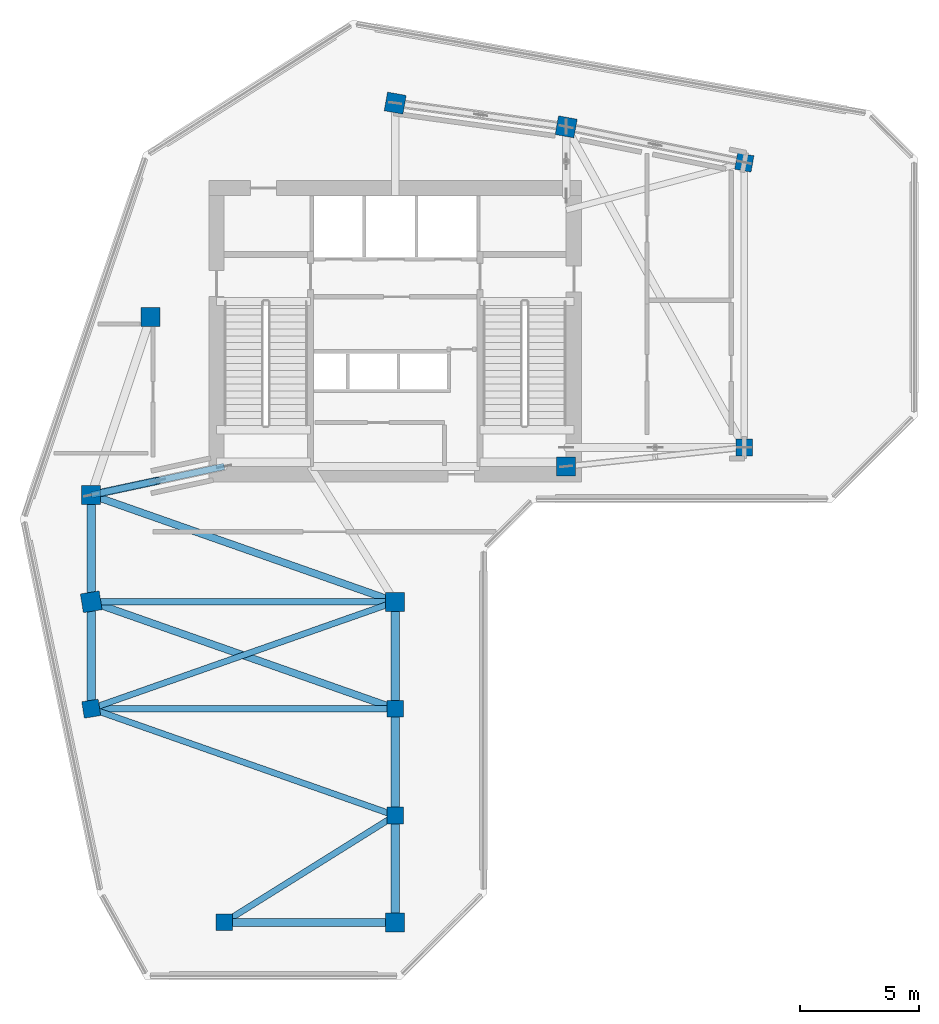
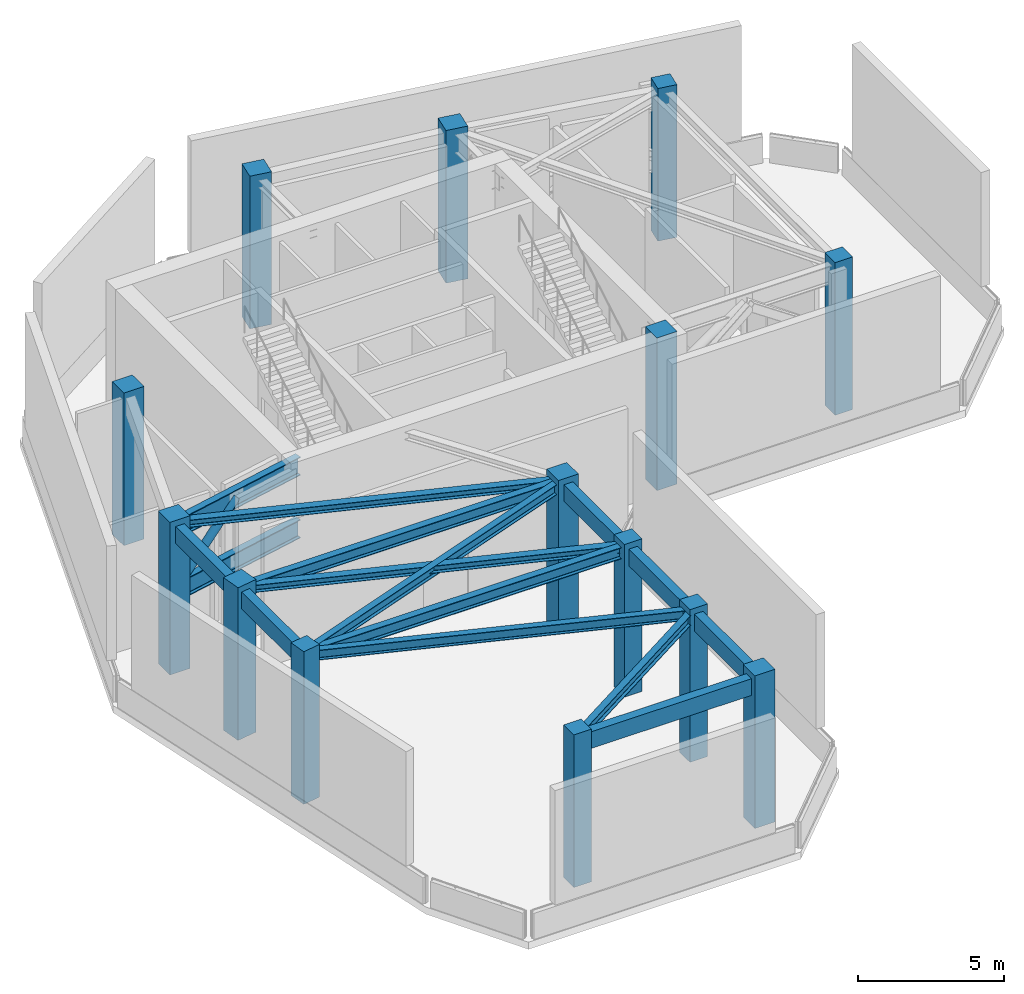
# One storey, part 1 of 10: 15 beams, 14 columns, 1 member.
"""IFC4 building model written with IfcOpenShell, lengths in metres."""

from ifc_helpers import new_model, si_unit, direction, frame, origin, origin_2d, place, context, subcontext, project, spatial, rectangle, hollow_circle, i_section, extrude, source, transform, mapped, material, material_profile, profile_set, type_object, element, save


model = new_model("IFC4")

# Units and contexts
model_context = context("Model", 3, precision=1e-05, world=origin(), true_north=direction((0.0, 1.0)))
body_context = subcontext(model_context, "Body", "Model", "MODEL_VIEW")
ifc_project = project(units=[si_unit("LENGTHUNIT", "METRE"), si_unit("AREAUNIT", "SQUARE_METRE"), si_unit("VOLUMEUNIT", "CUBIC_METRE"), si_unit("PLANEANGLEUNIT", "RADIAN"), si_unit("MASSUNIT", "GRAM", prefix="KILO")], contexts=[model_context])

# Site, building, storey
site_placement = place(None, origin())
site = spatial("IfcSite", under=ifc_project, at=site_placement, CompositionType="ELEMENT")
building_placement = place(site_placement, origin())
building = spatial("IfcBuilding", under=site, at=building_placement, Name="Calvemar Wedge Station Tower", CompositionType="ELEMENT")
storey_placement = place(building_placement, frame((0.0, 0.0, 242.89990234375)))
storey = spatial("IfcBuildingStorey", under=building, at=storey_placement, Name="L62", CompositionType="ELEMENT", Elevation=242.89990234375)

# Columns
ifc_material_1 = material(Name="Concrete C50", Category="concrete")
ifc_material_profile_1 = material_profile(ifc_material_1, rectangle(XDim=0.800048828125, YDim=0.800048828125, at=origin_2d()), Name="RC800x800")
ifc_profile_set_1 = profile_set([ifc_material_profile_1], Name="Concrete C50")
column_type_1 = type_object("IfcColumnType", Name="COL-C6-800", PredefinedType="COLUMN", material=ifc_profile_set_1)
shared_shape_1 = source(origin(), body_context, "Body", "SweptSolid", [
    extrude(rectangle(XDim=0.800048828125, YDim=0.800048828125, at=origin_2d()), origin(), (0.0, 0.0, 1.0), 6.400146484375),
])
for number, where, z_axis, x_axis, name in (
    (1, (11.0, 33.0, 0.0), (0.0, 0.0, 1.0), (1.0, 0.0, 0.0), "Storey L62 Column T-NW1"),
    (2, (13.5, 40.5, 0.0), (0.0, 0.0, 1.0), (1.0, 0.0, 0.0), "Storey L62 Column T-NW2"),
    (3, (23.800048828125, 49.5, 0.0), (0.0, 0.0, 1.0), (0.984195607969, -0.17708474032, 0.0), "Storey L62 Column T-N1"),
    (4, (31.0, 48.5, 0.0), (0.0, 0.0, 1.0), (0.984195607969, -0.17708474032, 0.0), "Storey L62 Column T-N2"),
    (5, (31.0, 34.199951171875, 0.0), (0.0, 0.0, 1.0), (1.0, 0.0, 0.0), "Storey L62 Column T-NL1"),
    (6, (11.0, 28.5, 0.0), (0.0, 0.0, 1.0), (0.158158067254, -0.987413806751, 0.0), "Storey L62 Column T-SW1"),
    (7, (23.800048828125, 28.5, 0.0), (0.0, 0.0, 1.0), (1.0, 0.0, 0.0), "Storey L62 Column T-SE1"),
    (8, (23.800048828125, 15.0, 0.0), (0.0, 0.0, 1.0), (1.0, 0.0, 0.0), "Storey L62 Column T-SE4"),
):
    element("IfcColumn", number, at=place(storey_placement, frame(where, z_axis=z_axis, x_axis=x_axis)), inside=storey, type_object=column_type_1, Name=name, PredefinedType="COLUMN", context=body_context, shape_type="MappedRepresentation", body=[
        mapped(shared_shape_1, transform((0.0, 0.0, 0.0), scale=1.0)),
    ])
ifc_material_profile_2 = material_profile(ifc_material_1, rectangle(XDim=0.699951171875, YDim=0.699951171875, at=origin_2d()), Name="RC700x700")
ifc_profile_set_2 = profile_set([ifc_material_profile_2], Name="Concrete C50")
column_type_2 = type_object("IfcColumnType", Name="COL-C7-700", PredefinedType="COLUMN", material=ifc_profile_set_2)
shared_shape_2 = source(origin(), body_context, "Body", "SweptSolid", [
    extrude(rectangle(XDim=0.699951171875, YDim=0.699951171875, at=origin_2d()), origin(), (0.0, 0.0, 1.0), 6.400146484375),
])
for number, where, z_axis, x_axis, name in (
    (9, (38.5, 47.0, 0.0), (0.0, 0.0, 1.0), (0.984195607969, -0.17708474032, 0.0), "Storey L62 Column T-NU3"),
    (10, (38.5, 35.0, 0.0), (0.0, 0.0, 1.0), (1.0, 0.0, 0.0), "Storey L62 Column T-NL2"),
    (11, (11.0, 24.0, 0.0), (0.0, 0.0, 1.0), (0.158158067254, -0.987413806751, 0.0), "Storey L62 Column T-SW2"),
    (12, (23.800048828125, 24.0, 0.0), (0.0, 0.0, 1.0), (1.0, 0.0, 0.0), "Storey L62 Column T-SE2"),
    (13, (23.800048828125, 19.5, 0.0), (0.0, 0.0, 1.0), (1.0, 0.0, 0.0), "Storey L62 Column T-SE3"),
    (14, (16.60009765625, 15.0, 0.0), (0.0, 0.0, 1.0), (1.0, 0.0, 0.0), "Storey L62 Column T-SM1"),
):
    element("IfcColumn", number, at=place(storey_placement, frame(where, z_axis=z_axis, x_axis=x_axis)), inside=storey, type_object=column_type_2, Name=name, PredefinedType="COLUMN", context=body_context, shape_type="MappedRepresentation", body=[
        mapped(shared_shape_2, transform((0.0, 0.0, 0.0), scale=1.0)),
    ])

# Beams
ifc_material_2 = material(Name="Structural steel ASTM A572 Grade 50", Category="steel")
ifc_material_profile_3 = material_profile(ifc_material_2, i_section(OverallWidth=0.304931640625, OverallDepth=0.30810546875, WebThickness=0.010009765625, FlangeThickness=0.015380859375, FilletRadius=0.014892578125, at=origin_2d()), Name="W310x97")
ifc_profile_set_3 = profile_set([ifc_material_profile_3], Name="Structural steel ASTM A572 Grade 50")
beam_type_1 = type_object("IfcBeamType", Name="BM-J6-W310", PredefinedType="JOIST", material=ifc_profile_set_3)
shared_shape_3 = source(origin(), body_context, "Body", "SweptSolid", [
    extrude(i_section(OverallWidth=0.304931640625, OverallDepth=0.30810546875, WebThickness=0.010009765625, FlangeThickness=0.015380859375, FilletRadius=0.014892578125, at=origin_2d()), origin(), (0.0, 0.0, 1.0), 13.568115234375),
])
for number, where, z_axis, x_axis, name in (
    (15, (11.0, 33.0, 5.99609375), (0.943398221169, -0.331662171939, 0.0), (0.331662171939, 0.943398221169, 0.0), "Storey L62 Floor Beam T-NW1-T-SE1"),
    (16, (11.0, 28.5, 5.99609375), (0.943398221169, -0.331662171939, 0.0), (0.331662171939, 0.943398221169, 0.0), "Storey L62 Floor Beam T-SW1-T-SE2"),
):
    element("IfcBeam", number, at=place(storey_placement, frame(where, z_axis=z_axis, x_axis=x_axis)), inside=storey, type_object=beam_type_1, Name=name, PredefinedType="JOIST", context=body_context, shape_type="MappedRepresentation", body=[
        mapped(shared_shape_3, transform((0.0, 0.0, 0.0), scale=1.0)),
    ])
ifc_material_profile_4 = material_profile(ifc_material_2, i_section(OverallWidth=0.260986328125, OverallDepth=0.419921875, WebThickness=0.01171875, FlangeThickness=0.019287109375, FilletRadius=0.012939453125, at=origin_2d()), Name="W410x114")
ifc_profile_set_4 = profile_set([ifc_material_profile_4], Name="Structural steel ASTM A572 Grade 50")
beam_type_2 = type_object("IfcBeamType", Name="BM-J2-W410H", PredefinedType="JOIST", material=ifc_profile_set_4)
shared_shape_4 = source(origin(), body_context, "Body", "SweptSolid", [
    extrude(i_section(OverallWidth=0.260986328125, OverallDepth=0.419921875, WebThickness=0.01171875, FlangeThickness=0.019287109375, FilletRadius=0.012939453125, at=origin_2d()), origin(), (0.0, 0.0, 1.0), 13.568115234375),
])
for number, where, z_axis, x_axis, name in (
    (17, (23.800048828125, 28.5, 5.940185546875), (-0.943398221169, -0.331662171939, 0.0), (0.331662171939, -0.943398221169, 0.0), "Storey L62 Floor Beam T-SE1-T-SW2"),
    (18, (11.0, 24.0, 5.940185546875), (0.943398221169, -0.331662171939, 0.0), (0.331662171939, 0.943398221169, 0.0), "Storey L62 Floor Beam T-SW2-T-SE3"),
):
    element("IfcBeam", number, at=place(storey_placement, frame(where, z_axis=z_axis, x_axis=x_axis)), inside=storey, type_object=beam_type_2, Name=name, PredefinedType="JOIST", context=body_context, shape_type="MappedRepresentation", body=[
        mapped(shared_shape_4, transform((0.0, 0.0, 0.0), scale=1.0)),
    ])
shared_shape_5 = source(origin(), body_context, "Body", "SweptSolid", [
    extrude(i_section(OverallWidth=0.260986328125, OverallDepth=0.419921875, WebThickness=0.01171875, FlangeThickness=0.019287109375, FilletRadius=0.012939453125, at=origin_2d()), origin(), (0.0, 0.0, 1.0), 8.490478515625),
])
beam_1_placement = place(storey_placement, frame((23.800048828125, 19.5, 5.940185546875), z_axis=(-0.847996688584, -0.530001524668, 0.0), x_axis=(0.530001524668, -0.847996688584, 0.0)))
element("IfcBeam", 19, at=beam_1_placement, inside=storey, type_object=beam_type_2, Name="Storey L62 Floor Beam T-SE3-T-SM1", PredefinedType="JOIST", context=body_context, shape_type="MappedRepresentation", body=[
    mapped(shared_shape_5, transform((0.0, 0.0, 0.0), scale=1.0)),
])
ifc_material_profile_5 = material_profile(ifc_material_2, i_section(OverallWidth=0.27001953125, OverallDepth=0.77294921875, WebThickness=0.018798828125, FlangeThickness=0.0322265625, FilletRadius=0.01806640625, at=origin_2d()), Name="W760x257")
ifc_profile_set_5 = profile_set([ifc_material_profile_5], Name="Structural steel ASTM A572 Grade 50")
beam_type_3 = type_object("IfcBeamType", Name="BM-OT1-W760", PredefinedType="BEAM", material=ifc_profile_set_5)
shared_shape_6 = source(origin(), body_context, "Body", "SweptSolid", [
    extrude(i_section(OverallWidth=0.27001953125, OverallDepth=0.77294921875, WebThickness=0.018798828125, FlangeThickness=0.0322265625, FilletRadius=0.01806640625, at=origin_2d()), origin(), (0.0, 0.0, 1.0), 5.727294921875),
])
for number, where, z_axis, x_axis, name in (
    (20, (16.60009765625, 34.199951171875, 3.13671875), (-0.977804909315, -0.209517443948, 0.0), (0.209517443948, -0.977804909315, 0.0), "L62 Outrigger OT-W Bottom Chord"),
    (21, (16.60009765625, 34.199951171875, 5.763671875), (-0.977804909315, -0.209517443948, 0.0), (0.209517443948, -0.977804909315, 0.0), "L62 Outrigger OT-W Top Chord"),
):
    element("IfcBeam", number, at=place(storey_placement, frame(where, z_axis=z_axis, x_axis=x_axis)), inside=storey, type_object=beam_type_3, Name=name, PredefinedType="BEAM", context=body_context, shape_type="MappedRepresentation", body=[
        mapped(shared_shape_6, transform((0.0, 0.0, 0.0), scale=1.0)),
    ])
ifc_material_profile_6 = material_profile(ifc_material_1, rectangle(XDim=0.35009765625, YDim=0.699951171875, at=origin_2d()), Name="RC350x700")
ifc_profile_set_6 = profile_set([ifc_material_profile_6], Name="Concrete C50")
beam_type_4 = type_object("IfcBeamType", Name="BM-SP2-700", PredefinedType="SPANDREL", material=ifc_profile_set_6)
shared_shape_7 = source(origin(), body_context, "Body", "SweptSolid", [
    extrude(rectangle(XDim=0.35009765625, YDim=0.699951171875, at=origin_2d()), origin(), (0.0, 0.0, 1.0), 4.5),
])
for number, where, z_axis, x_axis, name in (
    (22, (11.0, 33.0, 5.800048828125), (0.0, -1.0, 0.0), (1.0, 0.0, 0.0), "Storey L62 Spandrel T-NW1-T-SW1"),
    (23, (11.0, 28.5, 5.800048828125), (0.0, -1.0, 0.0), (1.0, 0.0, 0.0), "Storey L62 Spandrel T-SW1-T-SW2"),
    (24, (23.800048828125, 28.5, 5.800048828125), (0.0, -1.0, 0.0), (1.0, 0.0, 0.0), "Storey L62 Spandrel T-SE1-T-SE2"),
    (25, (23.800048828125, 24.0, 5.800048828125), (0.0, -1.0, 0.0), (1.0, 0.0, 0.0), "Storey L62 Spandrel T-SE2-T-SE3"),
    (26, (23.800048828125, 19.5, 5.800048828125), (0.0, -1.0, 0.0), (1.0, 0.0, 0.0), "Storey L62 Spandrel T-SE3-T-SE4"),
):
    element("IfcBeam", number, at=place(storey_placement, frame(where, z_axis=z_axis, x_axis=x_axis)), inside=storey, type_object=beam_type_4, Name=name, PredefinedType="SPANDREL", context=body_context, shape_type="MappedRepresentation", body=[
        mapped(shared_shape_7, transform((0.0, 0.0, 0.0), scale=1.0)),
    ])
shared_shape_8 = source(origin(), body_context, "Body", "SweptSolid", [
    extrude(rectangle(XDim=0.35009765625, YDim=0.699951171875, at=origin_2d()), origin(), (0.0, 0.0, 1.0), 7.199951171875),
])
beam_2_placement = place(storey_placement, frame((16.60009765625, 15.0, 5.800048828125), z_axis=(1.0, 0.0, 0.0), x_axis=(0.0, 1.0, 0.0)))
element("IfcBeam", 27, at=beam_2_placement, inside=storey, type_object=beam_type_4, Name="Storey L62 Spandrel T-SM1-T-SE4", PredefinedType="SPANDREL", context=body_context, shape_type="MappedRepresentation", body=[
    mapped(shared_shape_8, transform((0.0, 0.0, 0.0), scale=1.0)),
])
ifc_material_profile_7 = material_profile(ifc_material_2, i_section(OverallWidth=0.283935546875, OverallDepth=0.47607421875, WebThickness=0.014892578125, FlangeThickness=0.02392578125, FilletRadius=0.014892578125, at=origin_2d()), Name="W460x158")
ifc_profile_set_7 = profile_set([ifc_material_profile_7], Name="Structural steel ASTM A572 Grade 50")
beam_type_5 = type_object("IfcBeamType", Name="BM-SB5-W460H", PredefinedType="BEAM", material=ifc_profile_set_7)
shared_shape_9 = source(origin(), body_context, "Body", "SweptSolid", [
    extrude(i_section(OverallWidth=0.283935546875, OverallDepth=0.47607421875, WebThickness=0.014892578125, FlangeThickness=0.02392578125, FilletRadius=0.014892578125, at=origin_2d()), origin(), (0.0, 0.0, 1.0), 12.800048828125),
])
for number, where, z_axis, x_axis, name in (
    (28, (11.0, 28.5, 5.912109375), (1.0, 0.0, 0.0), (0.0, 1.0, 0.0), "Storey L62 Floor Beam T-SW1-T-SE1"),
    (29, (11.0, 24.0, 5.912109375), (1.0, 0.0, 0.0), (0.0, 1.0, 0.0), "Storey L62 Floor Beam T-SW2-T-SE2"),
):
    element("IfcBeam", number, at=place(storey_placement, frame(where, z_axis=z_axis, x_axis=x_axis)), inside=storey, type_object=beam_type_5, Name=name, PredefinedType="BEAM", context=body_context, shape_type="MappedRepresentation", body=[
        mapped(shared_shape_9, transform((0.0, 0.0, 0.0), scale=1.0)),
    ])

# Member
ifc_material_profile_8 = material_profile(ifc_material_2, hollow_circle(Radius=0.161865234375, WallThickness=0.01611328125, at=origin_2d()), Name="CHS323.9x16")
ifc_profile_set_8 = profile_set([ifc_material_profile_8], Name="Structural steel ASTM A572 Grade 50")
member_type = type_object("IfcMemberType", Name="MEM-D5-CHS323", PredefinedType="BRACE", material=ifc_profile_set_8)
shared_shape_10 = source(origin(), body_context, "Body", "SweptSolid", [
    extrude(hollow_circle(Radius=0.161865234375, WallThickness=0.01611328125, at=origin_2d()), origin(), (0.0, 0.0, 1.0), 3.885986328125),
])
member_placement = place(storey_placement, frame((13.800048828125, 33.60009765625, 5.763671875), z_axis=(-0.720541202889, -0.154424123873, -0.675998198892), x_axis=(0.209558200297, -0.977796175431, 0.0)))
element("IfcMember", 30, at=member_placement, inside=storey, type_object=member_type, Name="L62 Outrigger OT-W Diagonal 2", PredefinedType="BRACE", context=body_context, shape_type="MappedRepresentation", body=[
    mapped(shared_shape_10, transform((0.0, 0.0, 0.0), scale=1.0)),
])

save(model, "model.ifc")
